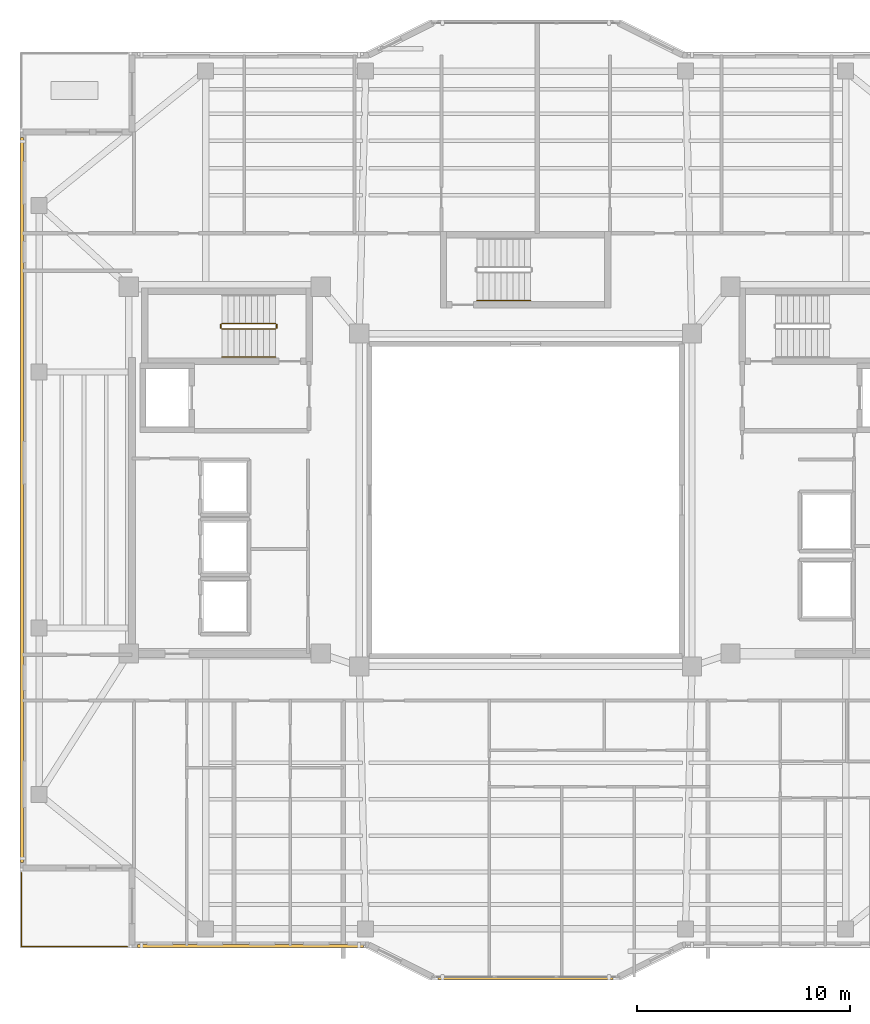
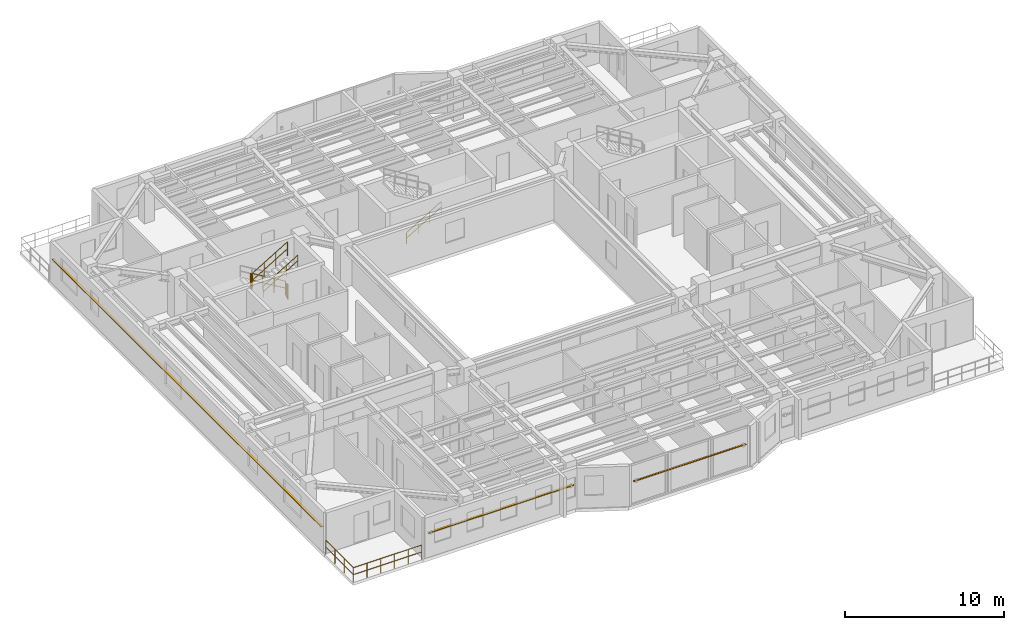
# One storey, part 12 of 15: 8 railings, 3 shading devices.
"""IFC4 building model written with IfcOpenShell, lengths in metres."""

from ifc_helpers import new_model, si_unit, direction, frame, origin, origin_2d, place, context, subcontext, project, spatial, rectangle, circle, extrude, material, material_profile, profile_set, type_object, element, save


model = new_model("IFC4")

# Units and contexts
model_context = context("Model", 3, precision=1e-05, world=origin(), true_north=direction((0.0, 1.0)))
body_context = subcontext(model_context, "Body", "Model", "MODEL_VIEW")
ifc_project = project(units=[si_unit("LENGTHUNIT", "METRE"), si_unit("AREAUNIT", "SQUARE_METRE"), si_unit("VOLUMEUNIT", "CUBIC_METRE"), si_unit("PLANEANGLEUNIT", "RADIAN"), si_unit("MASSUNIT", "GRAM", prefix="KILO")], contexts=[model_context])

# Site, building, storey
site_placement = place(None, origin())
site = spatial("IfcSite", under=ifc_project, at=site_placement, CompositionType="ELEMENT")
building_placement = place(site_placement, origin())
building = spatial("IfcBuilding", under=site, at=building_placement, Name="Tarnavaz Court Tower", CompositionType="ELEMENT")
storey_placement = place(building_placement, frame((0.0, 0.0, 186.89990234375)))
storey = spatial("IfcBuildingStorey", under=building, at=storey_placement, Name="L50", CompositionType="ELEMENT", Elevation=186.89990234375)

# Railings
ifc_material_1 = material(Name="Anodised Aluminium 6063-T6 and Laminated Safety Glass", Category="aluminium")
railing_type_1 = type_object("IfcRailingType", Name="RL-BAL-1120", PredefinedType="BALUSTRADE", material=ifc_material_1)
railing_1_placement = place(storey_placement, frame((-23.639892578125, -20.93994140625, 0.0)))
element("IfcRailing", 1, at=railing_1_placement, inside=storey, type_object=railing_type_1, Name="L50 Terrace 4 S Perimeter Balustrade", PredefinedType="BALUSTRADE", context=body_context, shape_type="SweptSolid", body=[
    extrude(circle(Radius=0.02392578125, at=origin_2d()), frame((0.0, 0.0, 1.09619140625), z_axis=(1.0, 0.0, 0.0), x_axis=(0.0, 1.0, 0.0)), (0.0, 0.0, 1.0), 4.97998046875),
    extrude(circle(Radius=0.02392578125, at=origin_2d()), frame((0.0, 0.0, 0.56005859375), z_axis=(1.0, 0.0, 0.0), x_axis=(0.0, 1.0, 0.0)), (0.0, 0.0, 1.0), 4.97998046875),
    extrude(circle(Radius=0.02099609375, at=origin_2d()), origin(), (0.0, 0.0, 1.0), 1.072021484375),
    extrude(circle(Radius=0.02099609375, at=origin_2d()), frame((0.99609375, 0.0, 0.0)), (0.0, 0.0, 1.0), 1.072021484375),
    extrude(circle(Radius=0.02099609375, at=origin_2d()), frame((1.991943359375, 0.0, 0.0)), (0.0, 0.0, 1.0), 1.072021484375),
    extrude(circle(Radius=0.02099609375, at=origin_2d()), frame((2.988037109375, 0.0, 0.0)), (0.0, 0.0, 1.0), 1.072021484375),
    extrude(circle(Radius=0.02099609375, at=origin_2d()), frame((3.98388671875, 0.0, 0.0)), (0.0, 0.0, 1.0), 1.072021484375),
    extrude(circle(Radius=0.02099609375, at=origin_2d()), frame((4.97998046875, 0.0, 0.0)), (0.0, 0.0, 1.0), 1.072021484375),
])
railing_2_placement = place(storey_placement, frame((-23.639892578125, -17.4599609375, 0.0)))
element("IfcRailing", 2, at=railing_2_placement, inside=storey, type_object=railing_type_1, Name="L50 Terrace 4 W Perimeter Balustrade", PredefinedType="BALUSTRADE", context=body_context, shape_type="SweptSolid", body=[
    extrude(circle(Radius=0.02392578125, at=origin_2d()), frame((0.0, 0.0, 1.09619140625), z_axis=(0.0, -1.0, 0.0), x_axis=(1.0, 0.0, 0.0)), (0.0, 0.0, 1.0), 3.47998046875),
    extrude(circle(Radius=0.02392578125, at=origin_2d()), frame((0.0, 0.0, 0.56005859375), z_axis=(0.0, -1.0, 0.0), x_axis=(1.0, 0.0, 0.0)), (0.0, 0.0, 1.0), 3.47998046875),
    extrude(circle(Radius=0.02099609375, at=origin_2d()), origin(), (0.0, 0.0, 1.0), 1.072021484375),
    extrude(circle(Radius=0.02099609375, at=origin_2d()), frame((0.0, -1.159912109375, 0.0)), (0.0, 0.0, 1.0), 1.072021484375),
    extrude(circle(Radius=0.02099609375, at=origin_2d()), frame((0.0, -2.320068359375, 0.0)), (0.0, 0.0, 1.0), 1.072021484375),
    extrude(circle(Radius=0.02099609375, at=origin_2d()), frame((0.0, -3.47998046875, 0.0)), (0.0, 0.0, 1.0), 1.072021484375),
])
ifc_material_2 = material(Name="Brushed Stainless Steel", Category="steel")
railing_type_2 = type_object("IfcRailingType", Name="RL-HANDRAIL-900", PredefinedType="HANDRAIL", material=ifc_material_2)
for number, where, name in (
    (3, (-14.239990234375, 6.699951171875, 1.842529296875), "L50 ST-W1 stair handrail 2"),
    (4, (-2.280029296875, 9.35009765625, 0.16748046875), "L50 ST-N1 stair handrail 1"),
):
    element("IfcRailing", number, at=place(storey_placement, frame(where)), inside=storey, type_object=railing_type_2, Name=name, PredefinedType="HANDRAIL", context=body_context, shape_type="SweptSolid", body=[
        extrude(circle(Radius=0.02392578125, at=origin_2d()), frame((0.0, 0.0, 0.8759765625), z_axis=(0.858159760407, 0.0, 0.513382728203), x_axis=(0.0, 1.0, 0.0)), (0.0, 0.0, 1.0), 2.9365234375),
        extrude(circle(Radius=0.02392578125, at=origin_2d()), frame((0.0, 0.0, 0.449951171875), z_axis=(0.858159760407, 0.0, 0.513382728203), x_axis=(0.0, 1.0, 0.0)), (0.0, 0.0, 1.0), 2.9365234375),
        extrude(circle(Radius=0.02099609375, at=origin_2d()), origin(), (0.0, 0.0, 1.0), 0.851806640625),
        extrude(circle(Radius=0.02099609375, at=origin_2d()), frame((0.840087890625, 0.0, 0.50244140625)), (0.0, 0.0, 1.0), 0.851806640625),
        extrude(circle(Radius=0.02099609375, at=origin_2d()), frame((1.679931640625, 0.0, 1.005126953125)), (0.0, 0.0, 1.0), 0.851806640625),
        extrude(circle(Radius=0.02099609375, at=origin_2d()), frame((2.52001953125, 0.0, 1.507568359375)), (0.0, 0.0, 1.0), 0.851806640625),
    ])
ifc_material_3 = material(Name="Galvanized Painted Tubular Steel", Category="steel")
railing_type_3 = type_object("IfcRailingType", Name="RL-STGUARD-1120", PredefinedType="GUARDRAIL", material=ifc_material_3)
railing_3_placement = place(storey_placement, frame((-11.719970703125, 8.27001953125, 0.16748046875)))
element("IfcRailing", 5, at=railing_3_placement, inside=storey, type_object=railing_type_3, Name="L50 ST-W1 stair guard 1", PredefinedType="GUARDRAIL", context=body_context, shape_type="SweptSolid", body=[
    extrude(circle(Radius=0.02392578125, at=origin_2d()), frame((0.0, 0.0, 1.09619140625), z_axis=(-0.858159760407, 0.0, 0.513382728203), x_axis=(0.0, -1.0, 0.0)), (0.0, 0.0, 1.0), 2.9365234375),
    extrude(circle(Radius=0.02392578125, at=origin_2d()), frame((0.0, 0.0, 0.56005859375), z_axis=(-0.858159760407, 0.0, 0.513382728203), x_axis=(0.0, -1.0, 0.0)), (0.0, 0.0, 1.0), 2.9365234375),
    extrude(circle(Radius=0.02099609375, at=origin_2d()), origin(), (0.0, 0.0, 1.0), 1.072021484375),
    extrude(circle(Radius=0.02099609375, at=origin_2d()), frame((-0.840087890625, 0.0, 0.50244140625)), (0.0, 0.0, 1.0), 1.072021484375),
    extrude(circle(Radius=0.02099609375, at=origin_2d()), frame((-1.679931640625, 0.0, 1.005126953125)), (0.0, 0.0, 1.0), 1.072021484375),
    extrude(circle(Radius=0.02099609375, at=origin_2d()), frame((-2.52001953125, 0.0, 1.507568359375)), (0.0, 0.0, 1.0), 1.072021484375),
])
railing_4_placement = place(storey_placement, frame((-14.2900390625, 8.219970703125, 1.675048828125)))
element("IfcRailing", 6, at=railing_4_placement, inside=storey, type_object=railing_type_3, Name="L50 ST-W1 stair guard 2", PredefinedType="GUARDRAIL", context=body_context, shape_type="SweptSolid", body=[
    extrude(circle(Radius=0.02392578125, at=origin_2d()), frame((0.0, 0.0, 1.09619140625), z_axis=(0.0, -1.0, 0.0), x_axis=(1.0, 0.0, 0.0)), (0.0, 0.0, 1.0), 0.14990234375),
    extrude(circle(Radius=0.02392578125, at=origin_2d()), frame((0.0, 0.0, 0.56005859375), z_axis=(0.0, -1.0, 0.0), x_axis=(1.0, 0.0, 0.0)), (0.0, 0.0, 1.0), 0.14990234375),
    extrude(circle(Radius=0.02099609375, at=origin_2d()), origin(), (0.0, 0.0, 1.0), 1.072021484375),
    extrude(circle(Radius=0.02099609375, at=origin_2d()), frame((0.0, -0.14990234375, 0.0)), (0.0, 0.0, 1.0), 1.072021484375),
])
railing_5_placement = place(storey_placement, frame((-14.239990234375, 8.02001953125, 1.842529296875)))
element("IfcRailing", 7, at=railing_5_placement, inside=storey, type_object=railing_type_3, Name="L50 ST-W1 stair guard 3", PredefinedType="GUARDRAIL", context=body_context, shape_type="SweptSolid", body=[
    extrude(circle(Radius=0.02392578125, at=origin_2d()), frame((0.0, 0.0, 1.09619140625), z_axis=(0.858159760407, 0.0, 0.513382728203), x_axis=(0.0, 1.0, 0.0)), (0.0, 0.0, 1.0), 2.9365234375),
    extrude(circle(Radius=0.02392578125, at=origin_2d()), frame((0.0, 0.0, 0.56005859375), z_axis=(0.858159760407, 0.0, 0.513382728203), x_axis=(0.0, 1.0, 0.0)), (0.0, 0.0, 1.0), 2.9365234375),
    extrude(circle(Radius=0.02099609375, at=origin_2d()), origin(), (0.0, 0.0, 1.0), 1.072021484375),
    extrude(circle(Radius=0.02099609375, at=origin_2d()), frame((0.840087890625, 0.0, 0.50244140625)), (0.0, 0.0, 1.0), 1.072021484375),
    extrude(circle(Radius=0.02099609375, at=origin_2d()), frame((1.679931640625, 0.0, 1.005126953125)), (0.0, 0.0, 1.0), 1.072021484375),
    extrude(circle(Radius=0.02099609375, at=origin_2d()), frame((2.52001953125, 0.0, 1.507568359375)), (0.0, 0.0, 1.0), 1.072021484375),
])
railing_6_placement = place(storey_placement, frame((-11.669921875, 8.219970703125, 0.0)))
element("IfcRailing", 8, at=railing_6_placement, inside=storey, type_object=railing_type_3, Name="L50 ST-W1 stair guard 4", PredefinedType="GUARDRAIL", context=body_context, shape_type="SweptSolid", body=[
    extrude(circle(Radius=0.02392578125, at=origin_2d()), frame((0.0, 0.0, 1.09619140625), z_axis=(0.0, -1.0, 0.0), x_axis=(1.0, 0.0, 0.0)), (0.0, 0.0, 1.0), 0.14990234375),
    extrude(circle(Radius=0.02392578125, at=origin_2d()), frame((0.0, 0.0, 0.56005859375), z_axis=(0.0, -1.0, 0.0), x_axis=(1.0, 0.0, 0.0)), (0.0, 0.0, 1.0), 0.14990234375),
    extrude(circle(Radius=0.02099609375, at=origin_2d()), origin(), (0.0, 0.0, 1.0), 1.072021484375),
    extrude(circle(Radius=0.02099609375, at=origin_2d()), frame((0.0, -0.14990234375, 0.0)), (0.0, 0.0, 1.0), 1.072021484375),
])

# Shading devices
ifc_material_4 = material(Name="Kiln-Fired Khorasan Terracotta Ceramic", Category="masonry")
ifc_material_profile_1 = material_profile(ifc_material_4, rectangle(XDim=0.1201171875, YDim=0.06005859375, at=origin_2d()), Name="TC BAGUETTE 120X60")
ifc_profile_set_1 = profile_set([ifc_material_profile_1], Name="Kiln-Fired Khorasan Terracotta Ceramic")
shading_device_type_1 = type_object("IfcShadingDeviceType", Name="SD-BAG-120", PredefinedType="USERDEFINED", material=ifc_profile_set_1)
shading_device_1_placement = place(storey_placement, frame((4.10009765625, -22.409912109375, 1.800048828125), z_axis=(-1.0, 0.0, 0.0), x_axis=(0.0, -1.0, 0.0)))
element("IfcShadingDevice", 9, at=shading_device_1_placement, inside=storey, type_object=shading_device_type_1, Name="L50 Terracotta Baguette Screen PBG17", ObjectType="BAGUETTE", PredefinedType="USERDEFINED", context=body_context, shape_type="SweptSolid", body=[
    extrude(rectangle(XDim=0.1201171875, YDim=0.06005859375, at=origin_2d()), origin(), (0.0, 0.0, 1.0), 8.2001953125),
])
ifc_material_profile_2 = material_profile(ifc_material_4, rectangle(XDim=0.14990234375, YDim=0.06494140625, at=origin_2d()), Name="TC BAGUETTE 150X65")
ifc_profile_set_2 = profile_set([ifc_material_profile_2], Name="Kiln-Fired Khorasan Terracotta Ceramic")
shading_device_type_2 = type_object("IfcShadingDeviceType", Name="SD-BAG-150", PredefinedType="USERDEFINED", material=ifc_profile_set_2)
shading_device_2_placement = place(storey_placement, frame((-23.610107421875, -17.0, 1.85009765625), z_axis=(0.0, 1.0, 0.0), x_axis=(-1.0, 0.0, 0.0)))
element("IfcShadingDevice", 10, at=shading_device_2_placement, inside=storey, type_object=shading_device_type_2, Name="L50 Terracotta Baguette Screen FBG02", ObjectType="BAGUETTE", PredefinedType="USERDEFINED", context=body_context, shape_type="SweptSolid", body=[
    extrude(rectangle(XDim=0.14990234375, YDim=0.06494140625, at=origin_2d()), origin(), (0.0, 0.0, 1.0), 34.0),
])
shading_device_3_placement = place(storey_placement, frame((-7.60009765625, -20.909912109375, 1.85009765625), z_axis=(-1.0, 0.0, 0.0), x_axis=(0.0, -1.0, 0.0)))
element("IfcShadingDevice", 11, at=shading_device_3_placement, inside=storey, type_object=shading_device_type_2, Name="L50 Terracotta Baguette Screen FBG19", ObjectType="BAGUETTE", PredefinedType="USERDEFINED", context=body_context, shape_type="SweptSolid", body=[
    extrude(rectangle(XDim=0.14990234375, YDim=0.06494140625, at=origin_2d()), origin(), (0.0, 0.0, 1.0), 10.599853515625),
])

save(model, "model.ifc")
